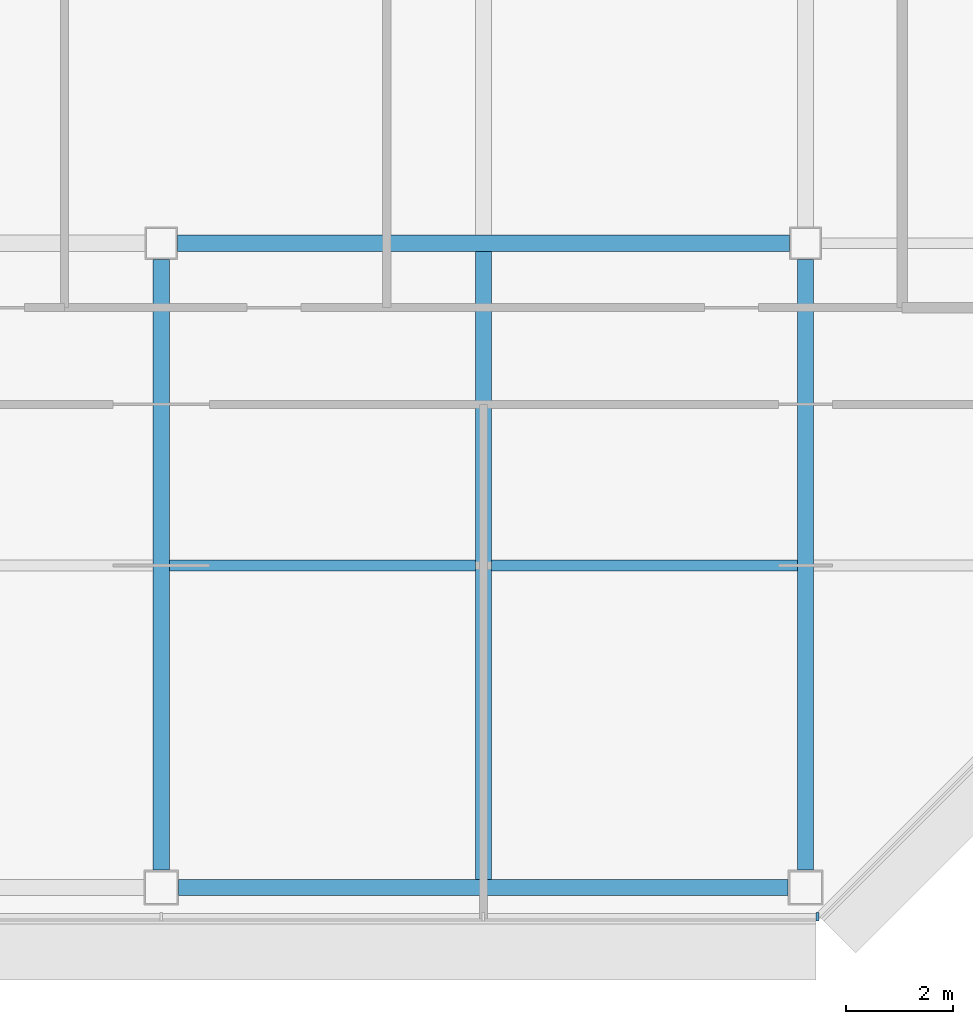
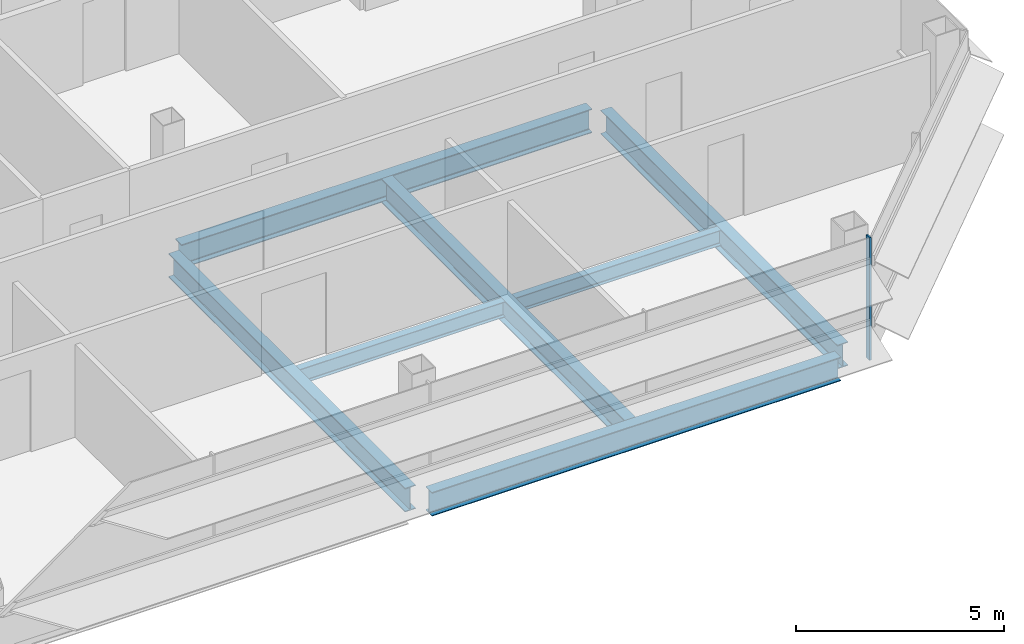
# One storey, part 9 of 26: 7 beams, 1 member, 1 element without a shape of its own.
"""IFC4 building model written with IfcOpenShell, lengths in metres."""

from ifc_helpers import new_model, si_unit, direction, frame, origin, origin_2d, place, context, subcontext, project, spatial, rectangle, i_section, extrude, material, material_profile, profile_set, type_object, element, aggregate, save


model = new_model("IFC4")

# Units and contexts
model_context = context("Model", 3, precision=1e-05, world=origin(), true_north=direction((0.0, 1.0)))
body_context = subcontext(model_context, "Body", "Model", "MODEL_VIEW")
ifc_project = project(units=[si_unit("LENGTHUNIT", "METRE"), si_unit("AREAUNIT", "SQUARE_METRE"), si_unit("VOLUMEUNIT", "CUBIC_METRE"), si_unit("PLANEANGLEUNIT", "RADIAN"), si_unit("MASSUNIT", "GRAM", prefix="KILO")], contexts=[model_context])

# Site, building, storey
site_placement = place(None, origin())
site = spatial("IfcSite", under=ifc_project, at=site_placement, CompositionType="ELEMENT")
building_placement = place(site_placement, origin())
building = spatial("IfcBuilding", under=site, at=building_placement, Name="Sorahane Residences", CompositionType="ELEMENT")
storey_placement = place(building_placement, frame((0.0, 0.0, 219.0)))
storey = spatial("IfcBuildingStorey", under=building, at=storey_placement, Name="L51", CompositionType="ELEMENT", Elevation=219.0)

# Curtain wall, member
ifc_material_1 = material(Name="Dark low-e glass and black anodised aluminium", Category="aluminium")
curtain_wall_type = type_object("IfcCurtainWallType", Name="Curtain wall CW-1 Typical unitised wall", PredefinedType="NOTDEFINED", material=ifc_material_1)
curtain_wall_placement = place(storey_placement, origin())
curtain_wall = element("IfcCurtainWall", 1, at=curtain_wall_placement, inside=storey, type_object=curtain_wall_type, Name="CW-1 curtain wall L51 S1", PredefinedType="NOTDEFINED")
ifc_material_2 = material(Name="Black anodised aluminium", Category="aluminium")
ifc_material_profile_1 = material_profile(ifc_material_2, rectangle(XDim=0.159912109375, YDim=0.050048828125, at=origin_2d()), Name="Curtain wall mullion CW-1 black anodised aluminium 50x160")
ifc_profile_set_1 = profile_set([ifc_material_profile_1], Name="Black anodised aluminium")
member_type = type_object("IfcMemberType", Name="Curtain wall mullion CW-1 black anodised aluminium 50x160", PredefinedType="MULLION", material=ifc_profile_set_1)
member_placement = place(storey_placement, frame((48.2236328125, -0.5400390625, -0.179931640625), z_axis=(0.0, 0.0, 1.0), x_axis=(0.0, -1.0, 0.0)))
member = element("IfcMember", 2, at=member_placement, type_object=member_type, Name="CW-1 mullion L51 S1.10", PredefinedType="MULLION", context=body_context, shape_type="SweptSolid", body=[
    extrude(rectangle(XDim=0.159912109375, YDim=0.050048828125, at=origin_2d()), origin(), (0.0, 0.0, 1.0), 3.599853515625),
])
aggregate(curtain_wall, [member])

# Beams
ifc_material_3 = material(Name="Steel Q355B", Category="steel")
ifc_material_profile_2 = material_profile(ifc_material_3, i_section(OverallWidth=0.199951171875, OverallDepth=0.449951171875, WebThickness=0.009033203125, FlangeThickness=0.013916015625, FilletRadius=0.02001953125, at=origin_2d()), Name="HN 450x200x9x14")
ifc_profile_set_2 = profile_set([ifc_material_profile_2], Name="Steel Q355B")
beam_type_1 = type_object("IfcBeamType", Name="Steel floor beam HN 450x200x9x14 Q355B", PredefinedType="BEAM", material=ifc_profile_set_2)
for number, where, z_axis, x_axis, name in (
    (3, (36.14990234375, 6.0, -0.405029296875), (1.0, 0.0, 0.0), (0.0, 1.0, 0.0), "Beam L51 075"),
    (4, (42.14990234375, 6.0, -0.405029296875), (1.0, 0.0, 0.0), (0.0, 1.0, 0.0), "Beam L51 076"),
):
    element("IfcBeam", number, at=place(storey_placement, frame(where, z_axis=z_axis, x_axis=x_axis)), inside=storey, type_object=beam_type_1, Name=name, PredefinedType="BEAM", context=body_context, shape_type="SweptSolid", body=[
        extrude(i_section(OverallWidth=0.199951171875, OverallDepth=0.449951171875, WebThickness=0.009033203125, FlangeThickness=0.013916015625, FilletRadius=0.02001953125, at=origin_2d()), origin(), (0.0, 0.0, 1.0), 5.7001953125),
    ])
ifc_material_4 = material(Name="Steel Q355B", Category="steel")
ifc_material_profile_3 = material_profile(ifc_material_4, i_section(OverallWidth=0.300048828125, OverallDepth=0.699951171875, WebThickness=0.012939453125, FlangeThickness=0.02392578125, FilletRadius=0.028076171875, at=origin_2d()), Name="HN 700x300x13x24")
ifc_profile_set_3 = profile_set([ifc_material_profile_3], Name="Steel Q355B")
beam_type_2 = type_object("IfcBeamType", Name="Steel floor beam HN 700x300x13x24 Q355B", PredefinedType="BEAM", material=ifc_profile_set_3)
beam_1_placement = place(storey_placement, frame((36.324951171875, 0.0, -0.530029296875), z_axis=(1.0, 0.0, 0.0), x_axis=(0.0, 1.0, 0.0)))
element("IfcBeam", 5, at=beam_1_placement, inside=storey, type_object=beam_type_2, Name="Beam L51 004", PredefinedType="BEAM", context=body_context, shape_type="SweptSolid", body=[
    extrude(i_section(OverallWidth=0.300048828125, OverallDepth=0.699951171875, WebThickness=0.012939453125, FlangeThickness=0.02392578125, FilletRadius=0.028076171875, at=origin_2d()), origin(), (0.0, 0.0, 1.0), 11.35009765625),
])
beam_2_placement = place(storey_placement, frame((36.300048828125, 12.0, -0.530029296875), z_axis=(1.0, 0.0, 0.0), x_axis=(0.0, 1.0, 0.0)))
element("IfcBeam", 6, at=beam_2_placement, inside=storey, type_object=beam_type_2, Name="Beam L51 009", PredefinedType="BEAM", context=body_context, shape_type="SweptSolid", body=[
    extrude(i_section(OverallWidth=0.300048828125, OverallDepth=0.699951171875, WebThickness=0.012939453125, FlangeThickness=0.02392578125, FilletRadius=0.028076171875, at=origin_2d()), origin(), (0.0, 0.0, 1.0), 11.39990234375),
])
beam_3_placement = place(storey_placement, frame((36.0, 0.324951171875, -0.530029296875), z_axis=(0.0, 1.0, 0.0), x_axis=(-1.0, 0.0, 0.0)))
element("IfcBeam", 7, at=beam_3_placement, inside=storey, type_object=beam_type_2, Name="Beam L51 050", PredefinedType="BEAM", context=body_context, shape_type="SweptSolid", body=[
    extrude(i_section(OverallWidth=0.300048828125, OverallDepth=0.699951171875, WebThickness=0.012939453125, FlangeThickness=0.02392578125, FilletRadius=0.028076171875, at=origin_2d()), origin(), (0.0, 0.0, 1.0), 11.375),
])
beam_4_placement = place(storey_placement, frame((42.0, 0.14990234375, -0.530029296875), z_axis=(0.0, 1.0, 0.0), x_axis=(-1.0, 0.0, 0.0)))
element("IfcBeam", 8, at=beam_4_placement, inside=storey, type_object=beam_type_2, Name="Beam L51 052", PredefinedType="BEAM", context=body_context, shape_type="SweptSolid", body=[
    extrude(i_section(OverallWidth=0.300048828125, OverallDepth=0.699951171875, WebThickness=0.012939453125, FlangeThickness=0.02392578125, FilletRadius=0.028076171875, at=origin_2d()), origin(), (0.0, 0.0, 1.0), 11.7001953125),
])
beam_5_placement = place(storey_placement, frame((48.0, 0.324951171875, -0.530029296875), z_axis=(0.0, 1.0, 0.0), x_axis=(-1.0, 0.0, 0.0)))
element("IfcBeam", 9, at=beam_5_placement, inside=storey, type_object=beam_type_2, Name="Beam L51 058", PredefinedType="BEAM", context=body_context, shape_type="SweptSolid", body=[
    extrude(i_section(OverallWidth=0.300048828125, OverallDepth=0.699951171875, WebThickness=0.012939453125, FlangeThickness=0.02392578125, FilletRadius=0.028076171875, at=origin_2d()), origin(), (0.0, 0.0, 1.0), 11.375),
])

save(model, "model.ifc")
